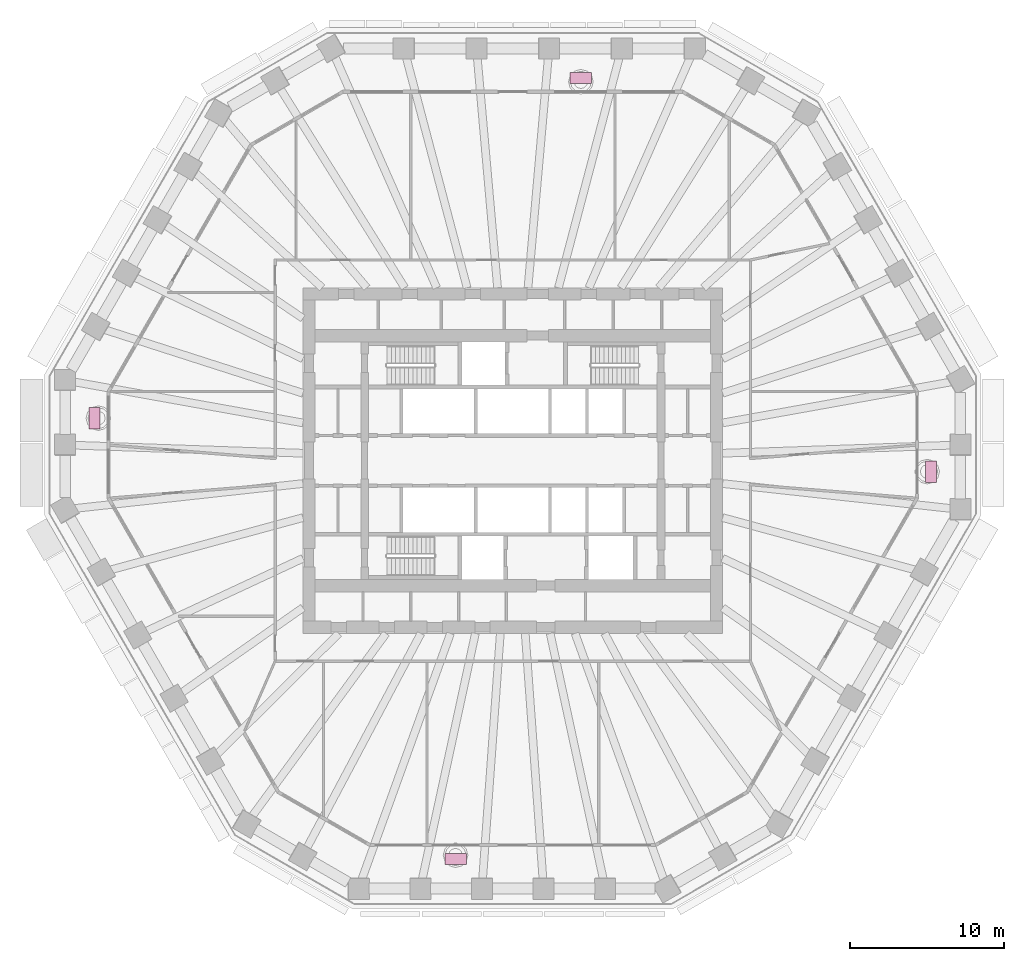
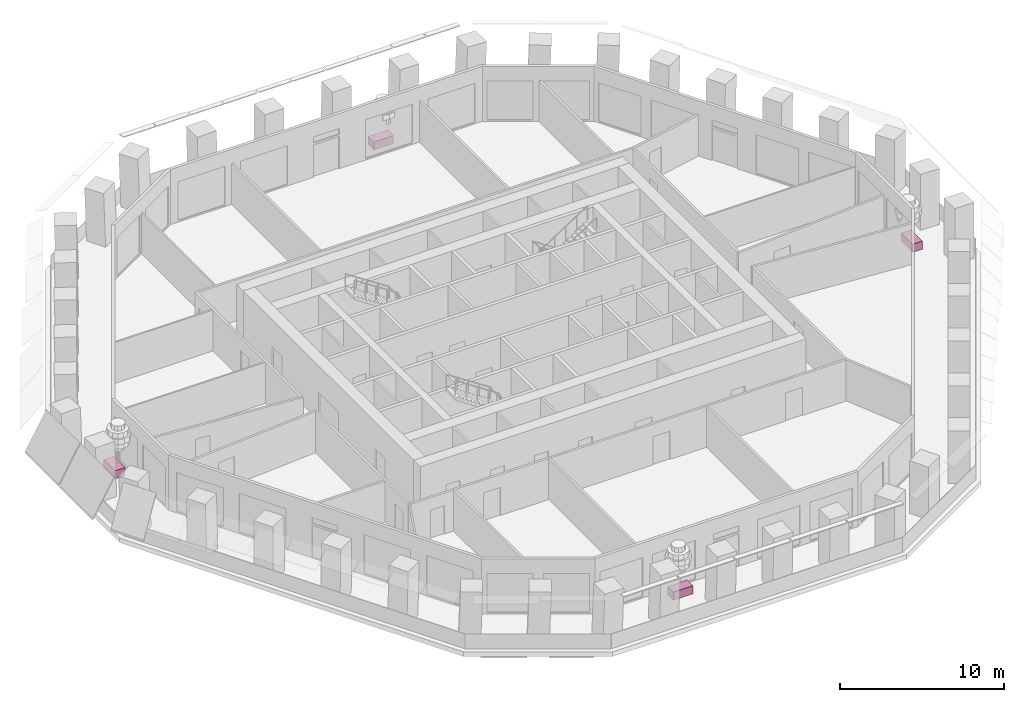
# One storey, part 12 of 13: 4 furniture elements.
"""IFC4 building model written with IfcOpenShell, lengths in metres."""

import ifcopenshell
import ifcopenshell.guid

model = None  # the IFC model being written
_history = None  # IfcOwnerHistory: only IFC2X3 demands one
_inside = {}  # id of a spatial element -> (the spatial element, [elements in it])
_under = {}  # id of a project, library or spatial element -> (it, [spatial elements below it])
_declared = {}  # id of a project -> (the project, [libraries it declares])
_typed = {}  # id of a type object -> (the type object, [elements of that type])
_made_of = {}  # id of a material, layer set ... -> (it, [elements and type objects made of it])


def new_model(schema):
    """Start an empty IFC model of exactly this schema.

    Asked for "IFC4X3", IfcOpenShell would pick the latest addendum, in which some entities
    have other attributes; the version numbers below select the first issue.
    IFC2X3 requires an IfcOwnerHistory on every rooted entity: one is made here for all.
    """
    global model, _history
    if schema == "IFC4X3":
        model = ifcopenshell.file(schema_version=(4, 3, 0, 0))
    else:
        model = ifcopenshell.file(schema=schema)
    _inside.clear()
    _under.clear()
    _declared.clear()
    _typed.clear()
    _made_of.clear()
    _history = None
    if model.schema == "IFC2X3":
        org = make("IfcOrganization", Name="unknown")
        user = make(
            "IfcPersonAndOrganization",
            ThePerson=make("IfcPerson", FamilyName="unknown"),
            TheOrganization=org,
        )
        app = make(
            "IfcApplication",
            ApplicationDeveloper=org,
            Version="unknown",
            ApplicationFullName="unknown",
            ApplicationIdentifier="unknown",
        )
        _history = make(
            "IfcOwnerHistory",
            OwningUser=user,
            OwningApplication=app,
            ChangeAction="ADDED",
            CreationDate=0,
        )
    return model


def make(cls, **values):
    """One entity of the class cls with the attributes given. An attribute that is None is left unset."""
    return model.create_entity(
        cls, **{name: value for name, value in values.items() if value is not None}
    )


def rooted(cls, **values):
    """An entity with a GlobalId (a new one), such as an element, a storey or a relation."""
    return make(cls, GlobalId=ifcopenshell.guid.new(), OwnerHistory=_history, **values)


def si_unit(unit_type, name, prefix=None):
    """IfcSIUnit, for example si_unit("LENGTHUNIT", "METRE", prefix="MILLI")."""
    return make("IfcSIUnit", UnitType=unit_type, Prefix=prefix, Name=name)


def assignment(units):
    """IfcUnitAssignment: the units of a project."""
    return None if units is None else make("IfcUnitAssignment", Units=units)


def point(xyz):
    """IfcCartesianPoint."""
    return None if xyz is None else make("IfcCartesianPoint", Coordinates=xyz)


def direction(xyz):
    """IfcDirection."""
    return None if xyz is None else make("IfcDirection", DirectionRatios=xyz)


def frame(location, z_axis=None, x_axis=None):
    """IfcAxis2Placement3D, a coordinate frame: its origin and axes. An axis left out is left unset."""
    return make(
        "IfcAxis2Placement3D",
        Location=point(location),
        Axis=direction(z_axis),
        RefDirection=direction(x_axis),
    )


def frame_2d(location, x_axis=None):
    """IfcAxis2Placement2D, a coordinate frame in the plane: its origin and x axis."""
    return make(
        "IfcAxis2Placement2D", Location=point(location), RefDirection=direction(x_axis)
    )


def origin():
    """The frame at (0, 0, 0) with its axes left unset."""
    return frame((0.0, 0.0, 0.0))


def origin_2d():
    """The frame at (0, 0) in the plane with its x axis left unset."""
    return frame_2d((0.0, 0.0))


def place(relative_to, where):
    """IfcLocalPlacement: puts the frame where relative to a parent placement (None: the world)."""
    return make(
        "IfcLocalPlacement", PlacementRelTo=relative_to, RelativePlacement=where
    )


def context(
    kind, dimensions, precision=None, world=None, true_north=None, identifier=None
):
    """IfcGeometricRepresentationContext, for example the 3D "Model" context."""
    return make(
        "IfcGeometricRepresentationContext",
        ContextIdentifier=identifier,
        ContextType=kind,
        CoordinateSpaceDimension=dimensions,
        Precision=precision,
        WorldCoordinateSystem=world,
        TrueNorth=true_north,
    )


def subcontext(parent, identifier, kind, view, scale=None):
    """IfcGeometricRepresentationSubContext, for example "Body" below "Model"."""
    return make(
        "IfcGeometricRepresentationSubContext",
        ContextIdentifier=identifier,
        ContextType=kind,
        ParentContext=parent,
        TargetScale=scale,
        TargetView=view,
    )


def project(units=None, contexts=None):
    """IfcProject with its units and contexts."""
    return rooted(
        "IfcProject",
        Name="project",
        RepresentationContexts=contexts,
        UnitsInContext=assignment(units),
    )


def spatial(cls, under=None, at=None, **own):
    """A site, building, storey or space (cls), placed at a placement, below another one or the project."""
    s = rooted(cls, ObjectPlacement=at, **own)
    if under is not None:
        _under.setdefault(under.id(), (under, []))[1].append(s)
    return s


def profile(cls, at=None, kind="AREA", **sizes):
    """A parametric profile (cls). Its sizes go by their IFC names, for example OverallWidth=200.0."""
    return make(cls, ProfileType=kind, Position=at, **sizes)


def rectangle(**sizes):
    """IfcRectangleProfileDef."""
    return profile("IfcRectangleProfileDef", **sizes)


def extrude(swept, where, along, depth):
    """IfcExtrudedAreaSolid: the profile swept, set in the frame where, extruded along a direction by depth."""
    return make(
        "IfcExtrudedAreaSolid",
        SweptArea=swept,
        Position=where,
        ExtrudedDirection=direction(along),
        Depth=depth,
    )


def shape(context_of_items, identifier, shape_type, items):
    """IfcShapeRepresentation: the items that make up one representation, for example the "Body"."""
    return make(
        "IfcShapeRepresentation",
        ContextOfItems=context_of_items,
        RepresentationIdentifier=identifier,
        RepresentationType=shape_type,
        Items=items,
    )


def material(Name=None, Category=None):
    """IfcMaterial."""
    return make("IfcMaterial", Name=Name, Category=Category)


def made_of(thing, what):
    """Note that an element or type object is made of a material, layer set ...; save() writes the relation."""
    if what is not None:
        _made_of.setdefault(what.id(), (what, []))[1].append(thing)
    return thing


def type_object(cls, material=None, **own):
    """A type object (cls), such as IfcWallType, which elements share."""
    return made_of(rooted(cls, **own), material)


def element(
    cls,
    number,
    at=None,
    inside=None,
    cuts=None,
    type_object=None,
    material=None,
    context=None,
    identifier="Body",
    shape_type=None,
    held_by="IfcProductDefinitionShape",
    body=None,
    shapes=None,
    **own,
):
    """One element of the class cls, such as IfcWall. Its Tag is "e" and its number.

    at: its placement. inside: the storey or other place that contains it. cuts: it is an
    opening in that element (IfcRelVoidsElement). A single representation is given by context,
    identifier, shape_type and body (its items); several are given by shapes. held_by: the class
    of the entity that holds the representations. save() writes the other relations.
    """
    e = rooted(cls, Tag="e%d" % number, ObjectPlacement=at, **own)
    if body is not None:
        shapes = [shape(context, identifier, shape_type, body)]
    if shapes is not None:
        e.Representation = make(held_by, Representations=shapes)
    if inside is not None:
        _inside.setdefault(inside.id(), (inside, []))[1].append(e)
    if cuts is not None:
        rooted(
            "IfcRelVoidsElement", RelatingBuildingElement=cuts, RelatedOpeningElement=e
        )
    if type_object is not None:
        _typed.setdefault(type_object.id(), (type_object, []))[1].append(e)
    return made_of(e, material)


def aggregate(whole, parts):
    """IfcRelAggregates: a whole, such as a stair, and the parts it consists of."""
    return rooted("IfcRelAggregates", RelatingObject=whole, RelatedObjects=parts)


def save(model, path):
    """Write the relations noted so far, then the file.

    IfcRelAggregates (storeys below a building ...), IfcRelContainedInSpatialStructure (elements
    in a storey), IfcRelDefinesByType, IfcRelAssociatesMaterial and IfcRelDeclares: one each for
    every whole, place, type object, material and project.
    """
    for whole, parts in _under.values():
        aggregate(whole, parts)
    for where, things in _inside.values():
        rooted(
            "IfcRelContainedInSpatialStructure",
            RelatedElements=things,
            RelatingStructure=where,
        )
    for kind, things in _typed.values():
        rooted("IfcRelDefinesByType", RelatedObjects=things, RelatingType=kind)
    for what, things in _made_of.values():
        rooted("IfcRelAssociatesMaterial", RelatedObjects=things, RelatingMaterial=what)
    for by, libraries in _declared.values():
        rooted("IfcRelDeclares", RelatingContext=by, RelatedDefinitions=libraries)
    model.write(path)


model = new_model("IFC4")

# Units and contexts
model_context = context("Model", 3, precision=1e-05, world=origin(), true_north=direction((0.0, 1.0)))
body_context = subcontext(model_context, "Body", "Model", "MODEL_VIEW")
ifc_project = project(units=[si_unit("LENGTHUNIT", "METRE"), si_unit("AREAUNIT", "SQUARE_METRE"), si_unit("VOLUMEUNIT", "CUBIC_METRE"), si_unit("PLANEANGLEUNIT", "RADIAN"), si_unit("MASSUNIT", "GRAM", prefix="KILO")], contexts=[model_context])

# Site, building, storey
site_placement = place(None, origin())
site = spatial("IfcSite", under=ifc_project, at=site_placement, CompositionType="ELEMENT")
building_placement = place(site_placement, origin())
building = spatial("IfcBuilding", under=site, at=building_placement, Name="Frailejon Research Tower", CompositionType="ELEMENT")
storey_placement = place(building_placement, frame((0.0, 0.0, 113.199951171875)))
storey = spatial("IfcBuildingStorey", under=building, at=storey_placement, Name="L24", CompositionType="ELEMENT", Elevation=113.199951171875)

# Furniture
ifc_material = material(Name="Precast concrete C30/37 planter, terracotta", Category="masonry")
furniture_type = type_object("IfcFurnitureType", Name="Loggia planter 1400x700", AssemblyPlace="NOTDEFINED", PredefinedType="USERDEFINED", material=ifc_material)
for number, where, z_axis, x_axis, name in (
    (1, (27.1005859375, -0.7138671875, 0.0), (0.0, 0.0, 1.0), (0.0, 1.0, 0.0), "Planter L24"),
    (2, (4.412841796875, 24.800048828125, 0.0), (0.0, 0.0, 1.0), (-1.0, 0.0, 0.0), "Planter L24"),
    (3, (-27.1005859375, 2.750244140625, 0.0), (0.0, 0.0, 1.0), (0.0, -1.0, 0.0), "Planter L24"),
    (4, (-3.70751953125, -25.818115234375, 0.0), (0.0, 0.0, 1.0), (1.0, 0.0, 0.0), "Planter L24"),
):
    element("IfcFurniture", number, at=place(storey_placement, frame(where, z_axis=z_axis, x_axis=x_axis)), inside=storey, type_object=furniture_type, Name=name, ObjectType="PLANTER", PredefinedType="USERDEFINED", context=body_context, shape_type="SweptSolid", body=[
        extrude(rectangle(XDim=1.39990234375, YDim=0.699951171875, at=origin_2d()), origin(), (0.0, 0.0, 1.0), 0.60009765625),
    ])

save(model, "model.ifc")
